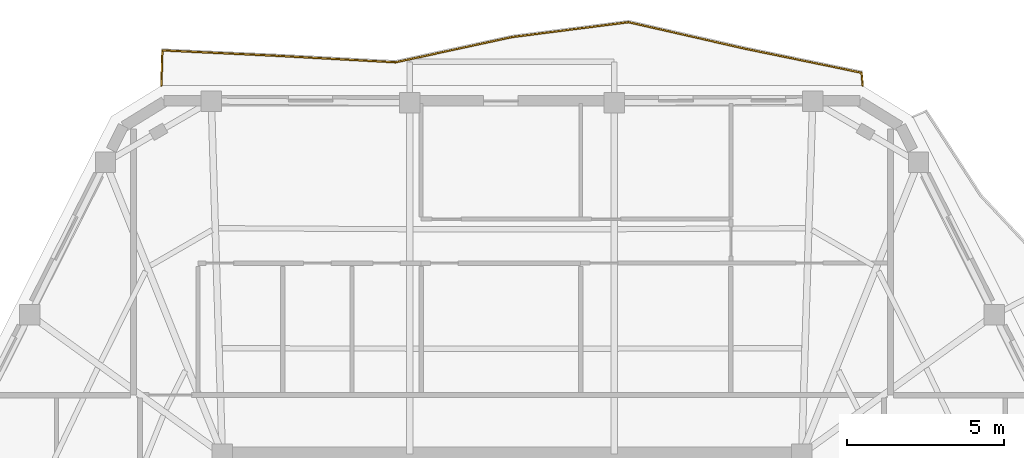
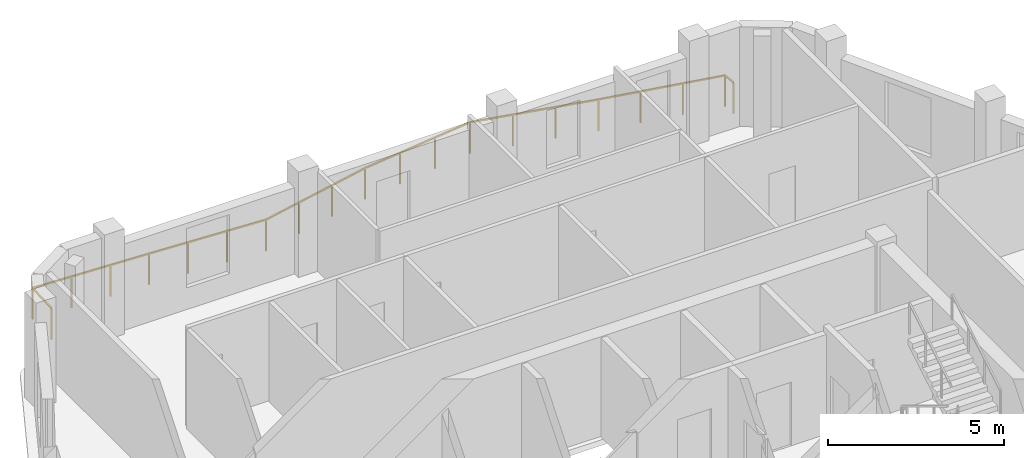
# One storey, part 10 of 10: 1 railing.
"""IFC4 building model written with IfcOpenShell, lengths in metres."""

from ifc_helpers import new_model, si_unit, direction, frame, origin, origin_2d, place, context, subcontext, project, spatial, rectangle, extrude, material, type_object, element, save


model = new_model("IFC4")

# Units and contexts
model_context = context("Model", 3, precision=1e-05, world=origin(), true_north=direction((0.0, 1.0)))
body_context = subcontext(model_context, "Body", "Model", "MODEL_VIEW")
ifc_project = project(units=[si_unit("LENGTHUNIT", "METRE"), si_unit("AREAUNIT", "SQUARE_METRE"), si_unit("VOLUMEUNIT", "CUBIC_METRE"), si_unit("PLANEANGLEUNIT", "RADIAN"), si_unit("MASSUNIT", "GRAM", prefix="KILO")], contexts=[model_context])

# Site, building, storey
site_placement = place(None, origin())
site = spatial("IfcSite", under=ifc_project, at=site_placement, CompositionType="ELEMENT")
building_placement = place(site_placement, origin())
building = spatial("IfcBuilding", under=site, at=building_placement, Name="Cinnabar Lancet Tower", CompositionType="ELEMENT")
storey_placement = place(building_placement, frame((0.0, 0.0, 267.14990234375)))
storey = spatial("IfcBuildingStorey", under=building, at=storey_placement, Name="L71", CompositionType="ELEMENT", Elevation=267.14990234375)

# Railing
ifc_material = material(Name="Laminated safety glass and bronze stainless steel balustrade", Category="steel")
railing_type = type_object("IfcRailingType", Name="ENV-RLG-BAL-1100", PredefinedType="BALUSTRADE", material=ifc_material)
railing_placement = place(storey_placement, frame((43.56396484375, 44.85009765625, 0.0)))
element("IfcRailing", 1, at=railing_placement, inside=storey, type_object=railing_type, Name="L71 Face 4 Wave Balcony Balustrade", PredefinedType="BALUSTRADE", context=body_context, shape_type="SweptSolid", body=[
    extrude(rectangle(XDim=0.048095703125, YDim=0.048095703125, at=origin_2d()), frame((0.0, 0.0, 1.076171875), z_axis=(-0.083870607105, 0.996476653647, 0.0), x_axis=(-0.996476653647, -0.083870607105, 0.0)), (0.0, 0.0, 1.0), 0.416259765625),
    extrude(rectangle(XDim=0.048095703125, YDim=0.048095703125, at=origin_2d()), frame((-0.034912109375, 0.414794921875, 1.076171875), z_axis=(-0.979388096392, 0.201987516063, 0.0), x_axis=(-0.201987516063, -0.979388096392, 0.0)), (0.0, 0.0, 1.0), 3.7880859375),
    extrude(rectangle(XDim=0.048095703125, YDim=0.048095703125, at=origin_2d()), frame((-3.744873046875, 1.179931640625, 1.076171875), z_axis=(-0.975089347171, 0.22181245464, 0.0), x_axis=(-0.22181245464, -0.975089347171, 0.0)), (0.0, 0.0, 1.0), 3.804931640625),
    extrude(rectangle(XDim=0.048095703125, YDim=0.048095703125, at=origin_2d()), frame((-7.455078125, 2.02392578125, 1.076171875), z_axis=(-0.991928476346, -0.126798650676, 0.0), x_axis=(0.126798650676, -0.991928476346, 0.0)), (0.0, 0.0, 1.0), 3.7392578125),
    extrude(rectangle(XDim=0.048095703125, YDim=0.048095703125, at=origin_2d()), frame((-11.1640625, 1.5498046875, 1.076171875), z_axis=(-0.977346217547, -0.211646807316, 0.0), x_axis=(0.211646807316, -0.977346217547, 0.0)), (0.0, 0.0, 1.0), 3.7939453125),
    extrude(rectangle(XDim=0.048095703125, YDim=0.048095703125, at=origin_2d()), frame((-14.8720703125, 0.746826171875, 1.076171875), z_axis=(-0.998505296955, 0.054655026781, 0.0), x_axis=(-0.054655026781, -0.998505296955, 0.0)), (0.0, 0.0, 1.0), 3.716552734375),
    extrude(rectangle(XDim=0.048095703125, YDim=0.048095703125, at=origin_2d()), frame((-18.5830078125, 0.949951171875, 1.076171875), z_axis=(-0.998864417776, 0.047643204137, 0.0), x_axis=(-0.047643204137, -0.998864417776, 0.0)), (0.0, 0.0, 1.0), 3.715087890625),
    extrude(rectangle(XDim=0.048095703125, YDim=0.048095703125, at=origin_2d()), frame((-22.2939453125, 1.126953125, 1.076171875), z_axis=(-0.030099008273, -0.999546922211, 0.0), x_axis=(0.999546922211, -0.030099008273, 0.0)), (0.0, 0.0, 1.0), 1.12744140625),
    extrude(rectangle(XDim=0.0419921875, YDim=0.0419921875, at=origin_2d()), origin(), (0.0, 0.0, 1.0), 1.052001953125),
    extrude(rectangle(XDim=0.0419921875, YDim=0.0419921875, at=origin_2d()), frame((-0.034912109375, 0.414794921875, 0.0)), (0.0, 0.0, 1.0), 1.052001953125),
    extrude(rectangle(XDim=0.0419921875, YDim=0.0419921875, at=origin_2d()), frame((-1.271484375, 0.669921875, 0.0)), (0.0, 0.0, 1.0), 1.052001953125),
    extrude(rectangle(XDim=0.0419921875, YDim=0.0419921875, at=origin_2d()), frame((-2.50830078125, 0.9248046875, 0.0)), (0.0, 0.0, 1.0), 1.052001953125),
    extrude(rectangle(XDim=0.0419921875, YDim=0.0419921875, at=origin_2d()), frame((-3.744873046875, 1.179931640625, 0.0)), (0.0, 0.0, 1.0), 1.052001953125),
    extrude(rectangle(XDim=0.0419921875, YDim=0.0419921875, at=origin_2d()), frame((-4.981689453125, 1.461181640625, 0.0)), (0.0, 0.0, 1.0), 1.052001953125),
    extrude(rectangle(XDim=0.0419921875, YDim=0.0419921875, at=origin_2d()), frame((-6.21826171875, 1.74267578125, 0.0)), (0.0, 0.0, 1.0), 1.052001953125),
    extrude(rectangle(XDim=0.0419921875, YDim=0.0419921875, at=origin_2d()), frame((-7.455078125, 2.02392578125, 0.0)), (0.0, 0.0, 1.0), 1.052001953125),
    extrude(rectangle(XDim=0.0419921875, YDim=0.0419921875, at=origin_2d()), frame((-8.69140625, 1.865966796875, 0.0)), (0.0, 0.0, 1.0), 1.052001953125),
    extrude(rectangle(XDim=0.0419921875, YDim=0.0419921875, at=origin_2d()), frame((-9.927734375, 1.707763671875, 0.0)), (0.0, 0.0, 1.0), 1.052001953125),
    extrude(rectangle(XDim=0.0419921875, YDim=0.0419921875, at=origin_2d()), frame((-11.1640625, 1.5498046875, 0.0)), (0.0, 0.0, 1.0), 1.052001953125),
    extrude(rectangle(XDim=0.0419921875, YDim=0.0419921875, at=origin_2d()), frame((-12.400146484375, 1.2822265625, 0.0)), (0.0, 0.0, 1.0), 1.052001953125),
    extrude(rectangle(XDim=0.0419921875, YDim=0.0419921875, at=origin_2d()), frame((-13.635986328125, 1.014404296875, 0.0)), (0.0, 0.0, 1.0), 1.052001953125),
    extrude(rectangle(XDim=0.0419921875, YDim=0.0419921875, at=origin_2d()), frame((-14.8720703125, 0.746826171875, 0.0)), (0.0, 0.0, 1.0), 1.052001953125),
    extrude(rectangle(XDim=0.0419921875, YDim=0.0419921875, at=origin_2d()), frame((-16.109130859375, 0.814453125, 0.0)), (0.0, 0.0, 1.0), 1.052001953125),
    extrude(rectangle(XDim=0.0419921875, YDim=0.0419921875, at=origin_2d()), frame((-17.345947265625, 0.88232421875, 0.0)), (0.0, 0.0, 1.0), 1.052001953125),
    extrude(rectangle(XDim=0.0419921875, YDim=0.0419921875, at=origin_2d()), frame((-18.5830078125, 0.949951171875, 0.0)), (0.0, 0.0, 1.0), 1.052001953125),
    extrude(rectangle(XDim=0.0419921875, YDim=0.0419921875, at=origin_2d()), frame((-19.820068359375, 1.009033203125, 0.0)), (0.0, 0.0, 1.0), 1.052001953125),
    extrude(rectangle(XDim=0.0419921875, YDim=0.0419921875, at=origin_2d()), frame((-21.056884765625, 1.06787109375, 0.0)), (0.0, 0.0, 1.0), 1.052001953125),
    extrude(rectangle(XDim=0.0419921875, YDim=0.0419921875, at=origin_2d()), frame((-22.2939453125, 1.126953125, 0.0)), (0.0, 0.0, 1.0), 1.052001953125),
    extrude(rectangle(XDim=0.0419921875, YDim=0.0419921875, at=origin_2d()), frame((-22.327880859375, 0.0, 0.0)), (0.0, 0.0, 1.0), 1.052001953125),
])

save(model, "model.ifc")
